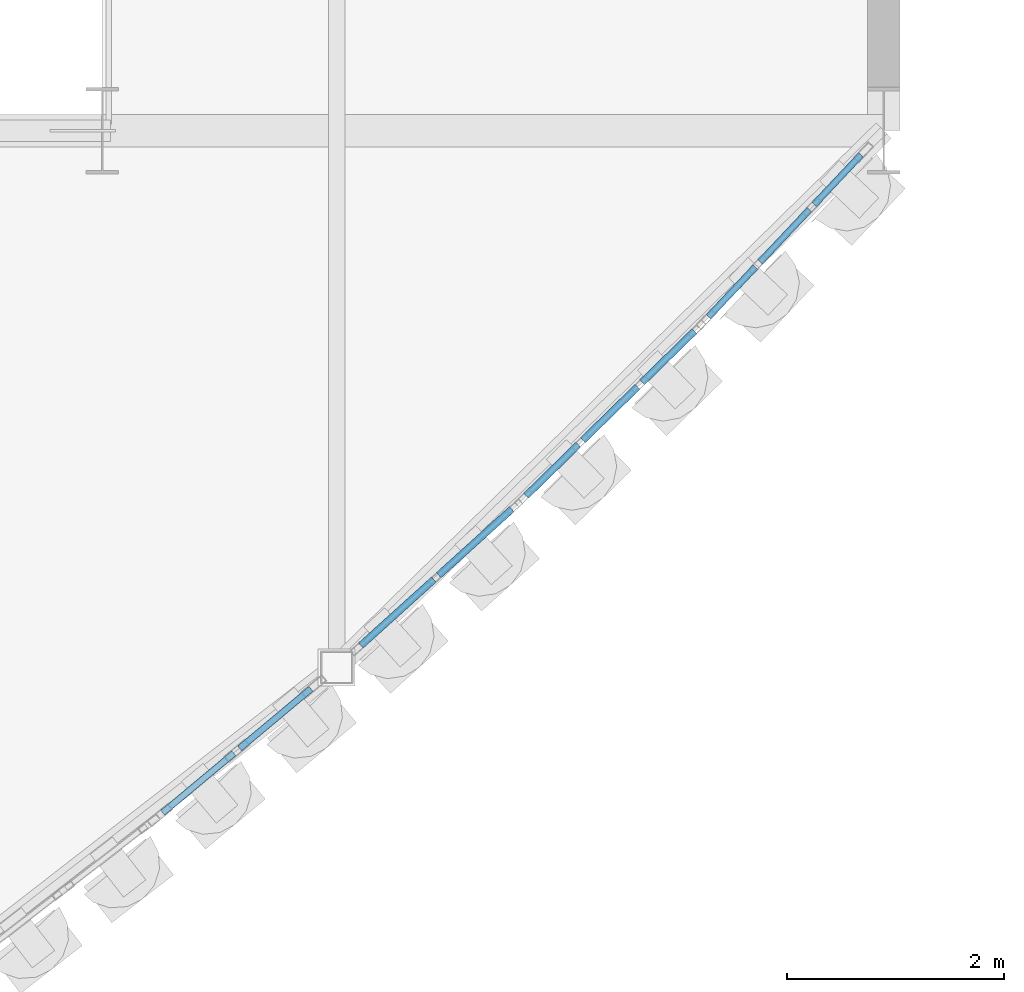
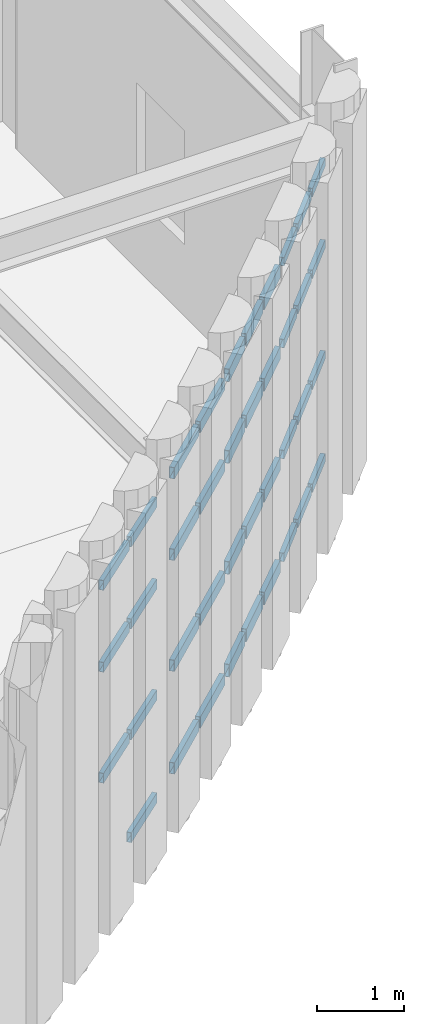
# One storey, part 79 of 126: 39 members, 4 elements without a shape of their own.
"""IFC4 building model written with IfcOpenShell, lengths in metres."""

from ifc_helpers import new_model, si_unit, direction, frame, origin, origin_2d, place, context, subcontext, project, spatial, hollow_rectangle, extrude, material, layer, layer_set, material_profile, profile_set, type_object, element, aggregate, save


model = new_model("IFC4")

# Units and contexts
model_context = context("Model", 3, precision=1e-05, world=origin(), true_north=direction((0.0, 1.0)))
body_context = subcontext(model_context, "Body", "Model", "MODEL_VIEW")
ifc_project = project(units=[si_unit("LENGTHUNIT", "METRE"), si_unit("AREAUNIT", "SQUARE_METRE"), si_unit("VOLUMEUNIT", "CUBIC_METRE"), si_unit("PLANEANGLEUNIT", "RADIAN"), si_unit("MASSUNIT", "GRAM", prefix="KILO")], contexts=[model_context])

# Site, building, storey
site_placement = place(None, origin())
site = spatial("IfcSite", under=ifc_project, at=site_placement, CompositionType="ELEMENT")
building_placement = place(site_placement, origin())
building = spatial("IfcBuilding", under=site, at=building_placement, Name="Solvadek Multi-Sports Hall", CompositionType="ELEMENT")
storey_placement = place(building_placement, frame((0.0, 0.0, 9.60009765625)))
storey = spatial("IfcBuildingStorey", under=building, at=storey_placement, Name="L02", CompositionType="ELEMENT", Elevation=9.60009765625)

# Curtain wall, members
ifc_material = material(Name="Anodised aluminium", Category="aluminium")
ifc_layer_1 = layer(ifc_material, 0.159912109375, Name="Anodised aluminium")
ifc_layer_set_1 = layer_set([ifc_layer_1], Name="Anodised aluminium")
curtain_wall_type_1 = type_object("IfcCurtainWallType", Name="ENV-CW-218X420", PredefinedType="USERDEFINED", material=ifc_layer_set_1)
curtain_wall_1_placement = place(storey_placement, origin())
curtain_wall_1 = element("IfcCurtainWall", 1, at=curtain_wall_1_placement, inside=storey, type_object=curtain_wall_type_1, Name="L02 Crescent Curved Curtain Wall #114", ObjectType="CURTAIN WALL", PredefinedType="USERDEFINED")
ifc_material_profile_1 = material_profile(ifc_material, hollow_rectangle(XDim=0.06005859375, YDim=0.1201171875, WallThickness=0.00390625, at=origin_2d()), Name="ALU-T 120x60x4")
ifc_profile_set_1 = profile_set([ifc_material_profile_1], Name="Anodised aluminium")
member_type_1 = type_object("IfcMemberType", Name="ENV-CWT-01", PredefinedType="USERDEFINED", material=ifc_profile_set_1)
member_1_placement = place(storey_placement, frame((135.18505859375, 4.28515625, 0.02978515625), z_axis=(0.685654971269, 0.727926686126, 0.0), x_axis=(-0.727926686126, 0.685654971269, 0.0)))
member_1 = element("IfcMember", 2, at=member_1_placement, type_object=member_type_1, Name="CW-37 transom 1.1", ObjectType="TRANSOM", PredefinedType="USERDEFINED", context=body_context, shape_type="SweptSolid", body=[
    extrude(hollow_rectangle(XDim=0.06005859375, YDim=0.1201171875, WallThickness=0.00390625, at=origin_2d()), origin(), (0.0, 0.0, 1.0), 0.629638671875),
])
member_2_placement = place(storey_placement, frame((135.18505859375, 4.28515625, 1.469970703125), z_axis=(0.685654971269, 0.727926686126, 0.0), x_axis=(-0.727926686126, 0.685654971269, 0.0)))
member_2 = element("IfcMember", 3, at=member_2_placement, type_object=member_type_1, Name="CW-37 transom 1.2", ObjectType="TRANSOM", PredefinedType="USERDEFINED", context=body_context, shape_type="SweptSolid", body=[
    extrude(hollow_rectangle(XDim=0.06005859375, YDim=0.1201171875, WallThickness=0.00390625, at=origin_2d()), origin(), (0.0, 0.0, 1.0), 0.629638671875),
])
member_3_placement = place(storey_placement, frame((135.18505859375, 4.28515625, 3.02392578125), z_axis=(0.685654971269, 0.727926686126, 0.0), x_axis=(-0.727926686126, 0.685654971269, 0.0)))
member_3 = element("IfcMember", 4, at=member_3_placement, type_object=member_type_1, Name="CW-37 transom 1.3", ObjectType="TRANSOM", PredefinedType="USERDEFINED", context=body_context, shape_type="SweptSolid", body=[
    extrude(hollow_rectangle(XDim=0.06005859375, YDim=0.1201171875, WallThickness=0.00390625, at=origin_2d()), origin(), (0.0, 0.0, 1.0), 0.629638671875),
])
member_4_placement = place(storey_placement, frame((135.18505859375, 4.28515625, 4.169921875), z_axis=(0.685654971269, 0.727926686126, 0.0), x_axis=(-0.727926686126, 0.685654971269, 0.0)))
member_4 = element("IfcMember", 5, at=member_4_placement, type_object=member_type_1, Name="CW-37 transom 1.4", ObjectType="TRANSOM", PredefinedType="USERDEFINED", context=body_context, shape_type="SweptSolid", body=[
    extrude(hollow_rectangle(XDim=0.06005859375, YDim=0.1201171875, WallThickness=0.00390625, at=origin_2d()), origin(), (0.0, 0.0, 1.0), 0.629638671875),
])
member_5_placement = place(storey_placement, frame((135.6611328125, 4.790771484375, 0.02978515625), z_axis=(0.685767327789, 0.727820837938, 0.0), x_axis=(-0.727820837938, 0.685767327789, 0.0)))
member_5 = element("IfcMember", 6, at=member_5_placement, type_object=member_type_1, Name="CW-37 transom 2.1", ObjectType="TRANSOM", PredefinedType="USERDEFINED", context=body_context, shape_type="SweptSolid", body=[
    extrude(hollow_rectangle(XDim=0.06005859375, YDim=0.1201171875, WallThickness=0.00390625, at=origin_2d()), origin(), (0.0, 0.0, 1.0), 0.661865234375),
])
member_6_placement = place(storey_placement, frame((135.6611328125, 4.790771484375, 1.469970703125), z_axis=(0.685767327789, 0.727820837938, 0.0), x_axis=(-0.727820837938, 0.685767327789, 0.0)))
member_6 = element("IfcMember", 7, at=member_6_placement, type_object=member_type_1, Name="CW-37 transom 2.2", ObjectType="TRANSOM", PredefinedType="USERDEFINED", context=body_context, shape_type="SweptSolid", body=[
    extrude(hollow_rectangle(XDim=0.06005859375, YDim=0.1201171875, WallThickness=0.00390625, at=origin_2d()), origin(), (0.0, 0.0, 1.0), 0.661865234375),
])
member_7_placement = place(storey_placement, frame((135.6611328125, 4.790771484375, 3.02392578125), z_axis=(0.685767327789, 0.727820837938, 0.0), x_axis=(-0.727820837938, 0.685767327789, 0.0)))
member_7 = element("IfcMember", 8, at=member_7_placement, type_object=member_type_1, Name="CW-37 transom 2.3", ObjectType="TRANSOM", PredefinedType="USERDEFINED", context=body_context, shape_type="SweptSolid", body=[
    extrude(hollow_rectangle(XDim=0.06005859375, YDim=0.1201171875, WallThickness=0.00390625, at=origin_2d()), origin(), (0.0, 0.0, 1.0), 0.661865234375),
])
member_8_placement = place(storey_placement, frame((135.6611328125, 4.790771484375, 4.169921875), z_axis=(0.685767327789, 0.727820837938, 0.0), x_axis=(-0.727820837938, 0.685767327789, 0.0)))
member_8 = element("IfcMember", 9, at=member_8_placement, type_object=member_type_1, Name="CW-37 transom 2.4", ObjectType="TRANSOM", PredefinedType="USERDEFINED", context=body_context, shape_type="SweptSolid", body=[
    extrude(hollow_rectangle(XDim=0.06005859375, YDim=0.1201171875, WallThickness=0.00390625, at=origin_2d()), origin(), (0.0, 0.0, 1.0), 0.661865234375),
])
member_9_placement = place(storey_placement, frame((136.159423828125, 5.31982421875, 0.02978515625), z_axis=(0.685449395519, 0.728120269037, 0.0), x_axis=(-0.728120269037, 0.685449395519, 0.0)))
member_9 = element("IfcMember", 10, at=member_9_placement, type_object=member_type_1, Name="CW-37 transom 3.1", ObjectType="TRANSOM", PredefinedType="USERDEFINED", context=body_context, shape_type="SweptSolid", body=[
    extrude(hollow_rectangle(XDim=0.06005859375, YDim=0.1201171875, WallThickness=0.00390625, at=origin_2d()), origin(), (0.0, 0.0, 1.0), 0.62939453125),
])
member_10_placement = place(storey_placement, frame((136.159423828125, 5.31982421875, 1.469970703125), z_axis=(0.685449395519, 0.728120269037, 0.0), x_axis=(-0.728120269037, 0.685449395519, 0.0)))
member_10 = element("IfcMember", 11, at=member_10_placement, type_object=member_type_1, Name="CW-37 transom 3.2", ObjectType="TRANSOM", PredefinedType="USERDEFINED", context=body_context, shape_type="SweptSolid", body=[
    extrude(hollow_rectangle(XDim=0.06005859375, YDim=0.1201171875, WallThickness=0.00390625, at=origin_2d()), origin(), (0.0, 0.0, 1.0), 0.62939453125),
])
member_11_placement = place(storey_placement, frame((136.159423828125, 5.31982421875, 3.02392578125), z_axis=(0.685449395519, 0.728120269037, 0.0), x_axis=(-0.728120269037, 0.685449395519, 0.0)))
member_11 = element("IfcMember", 12, at=member_11_placement, type_object=member_type_1, Name="CW-37 transom 3.3", ObjectType="TRANSOM", PredefinedType="USERDEFINED", context=body_context, shape_type="SweptSolid", body=[
    extrude(hollow_rectangle(XDim=0.06005859375, YDim=0.1201171875, WallThickness=0.00390625, at=origin_2d()), origin(), (0.0, 0.0, 1.0), 0.62939453125),
])
member_12_placement = place(storey_placement, frame((136.159423828125, 5.31982421875, 4.169921875), z_axis=(0.685449395519, 0.728120269037, 0.0), x_axis=(-0.728120269037, 0.685449395519, 0.0)))
member_12 = element("IfcMember", 13, at=member_12_placement, type_object=member_type_1, Name="CW-37 transom 3.4", ObjectType="TRANSOM", PredefinedType="USERDEFINED", context=body_context, shape_type="SweptSolid", body=[
    extrude(hollow_rectangle(XDim=0.06005859375, YDim=0.1201171875, WallThickness=0.00390625, at=origin_2d()), origin(), (0.0, 0.0, 1.0), 0.62939453125),
])
aggregate(curtain_wall_1, [member_1, member_2, member_3, member_4, member_5, member_6, member_7, member_8, member_9, member_10, member_11, member_12])

ifc_layer_2 = layer(ifc_material, 0.159912109375, Name="Anodised aluminium")
ifc_layer_set_2 = layer_set([ifc_layer_2], Name="Anodised aluminium")
curtain_wall_type_2 = type_object("IfcCurtainWallType", Name="ENV-CW-192X420", PredefinedType="USERDEFINED", material=ifc_layer_set_2)
curtain_wall_2_placement = place(storey_placement, origin())
curtain_wall_2 = element("IfcCurtainWall", 14, at=curtain_wall_2_placement, inside=storey, type_object=curtain_wall_type_2, Name="L02 Crescent Curved Curtain Wall #108", ObjectType="CURTAIN WALL", PredefinedType="USERDEFINED")
ifc_material_profile_2 = material_profile(ifc_material, hollow_rectangle(XDim=0.06005859375, YDim=0.139892578125, WallThickness=0.00390625, at=origin_2d()), Name="ALU-T 140x60x4")
ifc_profile_set_2 = profile_set([ifc_material_profile_2], Name="Anodised aluminium")
member_type_2 = type_object("IfcMemberType", Name="ENV-CWT-02", PredefinedType="USERDEFINED", material=ifc_profile_set_2)
member_13_placement = place(storey_placement, frame((130.15673828125, -0.283935546875, 1.469970703125), z_axis=(0.767283865941, 0.641307624363, 0.0), x_axis=(-0.641307624363, 0.767283865941, 0.0)))
member_13 = element("IfcMember", 15, at=member_13_placement, type_object=member_type_2, Name="CW-31 transom 1.2", ObjectType="TRANSOM", PredefinedType="USERDEFINED", context=body_context, shape_type="SweptSolid", body=[
    extrude(hollow_rectangle(XDim=0.06005859375, YDim=0.139892578125, WallThickness=0.00390625, at=origin_2d()), origin(), (0.0, 0.0, 1.0), 0.854736328125),
])
member_14_placement = place(storey_placement, frame((130.15673828125, -0.283935546875, 3.02392578125), z_axis=(0.767283865941, 0.641307624363, 0.0), x_axis=(-0.641307624363, 0.767283865941, 0.0)))
member_14 = element("IfcMember", 16, at=member_14_placement, type_object=member_type_2, Name="CW-31 transom 1.3", ObjectType="TRANSOM", PredefinedType="USERDEFINED", context=body_context, shape_type="SweptSolid", body=[
    extrude(hollow_rectangle(XDim=0.06005859375, YDim=0.139892578125, WallThickness=0.00390625, at=origin_2d()), origin(), (0.0, 0.0, 1.0), 0.854736328125),
])
member_15_placement = place(storey_placement, frame((130.15673828125, -0.283935546875, 4.169921875), z_axis=(0.767283865941, 0.641307624363, 0.0), x_axis=(-0.641307624363, 0.767283865941, 0.0)))
member_15 = element("IfcMember", 17, at=member_15_placement, type_object=member_type_2, Name="CW-31 transom 1.4", ObjectType="TRANSOM", PredefinedType="USERDEFINED", context=body_context, shape_type="SweptSolid", body=[
    extrude(hollow_rectangle(XDim=0.06005859375, YDim=0.139892578125, WallThickness=0.00390625, at=origin_2d()), origin(), (0.0, 0.0, 1.0), 0.854736328125),
])
member_16_placement = place(storey_placement, frame((130.8662109375, 0.30908203125, 0.02978515625), z_axis=(0.767260796359, 0.641335224645, 0.0), x_axis=(-0.641335224645, 0.767260796359, 0.0)))
member_16 = element("IfcMember", 18, at=member_16_placement, type_object=member_type_2, Name="CW-31 transom 2.1", ObjectType="TRANSOM", PredefinedType="USERDEFINED", context=body_context, shape_type="SweptSolid", body=[
    extrude(hollow_rectangle(XDim=0.06005859375, YDim=0.139892578125, WallThickness=0.00390625, at=origin_2d()), origin(), (0.0, 0.0, 1.0), 0.85498046875),
])
member_17_placement = place(storey_placement, frame((130.8662109375, 0.30908203125, 1.469970703125), z_axis=(0.767260796359, 0.641335224645, 0.0), x_axis=(-0.641335224645, 0.767260796359, 0.0)))
member_17 = element("IfcMember", 19, at=member_17_placement, type_object=member_type_2, Name="CW-31 transom 2.2", ObjectType="TRANSOM", PredefinedType="USERDEFINED", context=body_context, shape_type="SweptSolid", body=[
    extrude(hollow_rectangle(XDim=0.06005859375, YDim=0.139892578125, WallThickness=0.00390625, at=origin_2d()), origin(), (0.0, 0.0, 1.0), 0.85498046875),
])
member_18_placement = place(storey_placement, frame((130.8662109375, 0.30908203125, 3.02392578125), z_axis=(0.767260796359, 0.641335224645, 0.0), x_axis=(-0.641335224645, 0.767260796359, 0.0)))
member_18 = element("IfcMember", 20, at=member_18_placement, type_object=member_type_2, Name="CW-31 transom 2.3", ObjectType="TRANSOM", PredefinedType="USERDEFINED", context=body_context, shape_type="SweptSolid", body=[
    extrude(hollow_rectangle(XDim=0.06005859375, YDim=0.139892578125, WallThickness=0.00390625, at=origin_2d()), origin(), (0.0, 0.0, 1.0), 0.85498046875),
])
member_19_placement = place(storey_placement, frame((130.8662109375, 0.30908203125, 4.169921875), z_axis=(0.767260796359, 0.641335224645, 0.0), x_axis=(-0.641335224645, 0.767260796359, 0.0)))
member_19 = element("IfcMember", 21, at=member_19_placement, type_object=member_type_2, Name="CW-31 transom 2.4", ObjectType="TRANSOM", PredefinedType="USERDEFINED", context=body_context, shape_type="SweptSolid", body=[
    extrude(hollow_rectangle(XDim=0.06005859375, YDim=0.139892578125, WallThickness=0.00390625, at=origin_2d()), origin(), (0.0, 0.0, 1.0), 0.85498046875),
])
aggregate(curtain_wall_2, [member_13, member_14, member_15, member_16, member_17, member_18, member_19])

ifc_layer_3 = layer(ifc_material, 0.159912109375, Name="Anodised aluminium")
ifc_layer_set_3 = layer_set([ifc_layer_3], Name="Anodised aluminium")
curtain_wall_type_3 = type_object("IfcCurtainWallType", Name="ENV-CW-199X420", PredefinedType="USERDEFINED", material=ifc_layer_set_3)
curtain_wall_3_placement = place(storey_placement, origin())
curtain_wall_3 = element("IfcCurtainWall", 22, at=curtain_wall_3_placement, inside=storey, type_object=curtain_wall_type_3, Name="L02 Crescent Curved Curtain Wall #110", ObjectType="CURTAIN WALL", PredefinedType="USERDEFINED")
ifc_material_profile_3 = material_profile(ifc_material, hollow_rectangle(XDim=0.06494140625, YDim=0.159912109375, WallThickness=0.00390625, at=origin_2d()), Name="ALU-T 160x65x4")
ifc_profile_set_3 = profile_set([ifc_material_profile_3], Name="Anodised aluminium")
member_type_3 = type_object("IfcMemberType", Name="ENV-CWT-03", PredefinedType="USERDEFINED", material=ifc_profile_set_3)
member_20_placement = place(storey_placement, frame((131.982666015625, 1.25732421875, 0.032470703125), z_axis=(0.742141529236, 0.670243202564, 0.0), x_axis=(-0.670243202564, 0.742141529236, 0.0)))
member_20 = element("IfcMember", 23, at=member_20_placement, type_object=member_type_3, Name="CW-35 transom 1.1", ObjectType="TRANSOM", PredefinedType="USERDEFINED", context=body_context, shape_type="SweptSolid", body=[
    extrude(hollow_rectangle(XDim=0.06494140625, YDim=0.159912109375, WallThickness=0.00390625, at=origin_2d()), origin(), (0.0, 0.0, 1.0), 0.90673828125),
])
member_21_placement = place(storey_placement, frame((131.982666015625, 1.25732421875, 1.469970703125), z_axis=(0.742141529236, 0.670243202564, 0.0), x_axis=(-0.670243202564, 0.742141529236, 0.0)))
member_21 = element("IfcMember", 24, at=member_21_placement, type_object=member_type_3, Name="CW-35 transom 1.2", ObjectType="TRANSOM", PredefinedType="USERDEFINED", context=body_context, shape_type="SweptSolid", body=[
    extrude(hollow_rectangle(XDim=0.06494140625, YDim=0.159912109375, WallThickness=0.00390625, at=origin_2d()), origin(), (0.0, 0.0, 1.0), 0.90673828125),
])
member_22_placement = place(storey_placement, frame((131.982666015625, 1.25732421875, 3.02392578125), z_axis=(0.742141529236, 0.670243202564, 0.0), x_axis=(-0.670243202564, 0.742141529236, 0.0)))
member_22 = element("IfcMember", 25, at=member_22_placement, type_object=member_type_3, Name="CW-35 transom 1.3", ObjectType="TRANSOM", PredefinedType="USERDEFINED", context=body_context, shape_type="SweptSolid", body=[
    extrude(hollow_rectangle(XDim=0.06494140625, YDim=0.159912109375, WallThickness=0.00390625, at=origin_2d()), origin(), (0.0, 0.0, 1.0), 0.90673828125),
])
member_23_placement = place(storey_placement, frame((131.982666015625, 1.25732421875, 4.16748046875), z_axis=(0.742141529236, 0.670243202564, 0.0), x_axis=(-0.670243202564, 0.742141529236, 0.0)))
member_23 = element("IfcMember", 26, at=member_23_placement, type_object=member_type_3, Name="CW-35 transom 1.4", ObjectType="TRANSOM", PredefinedType="USERDEFINED", context=body_context, shape_type="SweptSolid", body=[
    extrude(hollow_rectangle(XDim=0.06494140625, YDim=0.159912109375, WallThickness=0.00390625, at=origin_2d()), origin(), (0.0, 0.0, 1.0), 0.90673828125),
])
member_24_placement = place(storey_placement, frame((132.7001953125, 1.9052734375, 0.032470703125), z_axis=(0.742128557496, 0.670257565529, 0.0), x_axis=(-0.670257565529, 0.742128557496, 0.0)))
member_24 = element("IfcMember", 27, at=member_24_placement, type_object=member_type_3, Name="CW-35 transom 2.1", ObjectType="TRANSOM", PredefinedType="USERDEFINED", context=body_context, shape_type="SweptSolid", body=[
    extrude(hollow_rectangle(XDim=0.06494140625, YDim=0.159912109375, WallThickness=0.00390625, at=origin_2d()), origin(), (0.0, 0.0, 1.0), 0.906982421875),
])
member_25_placement = place(storey_placement, frame((132.7001953125, 1.9052734375, 1.469970703125), z_axis=(0.742128557496, 0.670257565529, 0.0), x_axis=(-0.670257565529, 0.742128557496, 0.0)))
member_25 = element("IfcMember", 28, at=member_25_placement, type_object=member_type_3, Name="CW-35 transom 2.2", ObjectType="TRANSOM", PredefinedType="USERDEFINED", context=body_context, shape_type="SweptSolid", body=[
    extrude(hollow_rectangle(XDim=0.06494140625, YDim=0.159912109375, WallThickness=0.00390625, at=origin_2d()), origin(), (0.0, 0.0, 1.0), 0.906982421875),
])
member_26_placement = place(storey_placement, frame((132.7001953125, 1.9052734375, 3.02392578125), z_axis=(0.742128557496, 0.670257565529, 0.0), x_axis=(-0.670257565529, 0.742128557496, 0.0)))
member_26 = element("IfcMember", 29, at=member_26_placement, type_object=member_type_3, Name="CW-35 transom 2.3", ObjectType="TRANSOM", PredefinedType="USERDEFINED", context=body_context, shape_type="SweptSolid", body=[
    extrude(hollow_rectangle(XDim=0.06494140625, YDim=0.159912109375, WallThickness=0.00390625, at=origin_2d()), origin(), (0.0, 0.0, 1.0), 0.906982421875),
])
member_27_placement = place(storey_placement, frame((132.7001953125, 1.9052734375, 4.16748046875), z_axis=(0.742128557496, 0.670257565529, 0.0), x_axis=(-0.670257565529, 0.742128557496, 0.0)))
member_27 = element("IfcMember", 30, at=member_27_placement, type_object=member_type_3, Name="CW-35 transom 2.4", ObjectType="TRANSOM", PredefinedType="USERDEFINED", context=body_context, shape_type="SweptSolid", body=[
    extrude(hollow_rectangle(XDim=0.06494140625, YDim=0.159912109375, WallThickness=0.00390625, at=origin_2d()), origin(), (0.0, 0.0, 1.0), 0.906982421875),
])
aggregate(curtain_wall_3, [member_20, member_21, member_22, member_23, member_24, member_25, member_26, member_27])

ifc_layer_4 = layer(ifc_material, 0.159912109375, Name="Anodised aluminium")
ifc_layer_set_4 = layer_set([ifc_layer_4], Name="Anodised aluminium")
curtain_wall_type_4 = type_object("IfcCurtainWallType", Name="ENV-CW-229X420", PredefinedType="USERDEFINED", material=ifc_layer_set_4)
curtain_wall_4_placement = place(storey_placement, origin())
curtain_wall_4 = element("IfcCurtainWall", 31, at=curtain_wall_4_placement, inside=storey, type_object=curtain_wall_type_4, Name="L02 Crescent Curved Curtain Wall #112", ObjectType="CURTAIN WALL", PredefinedType="USERDEFINED")
ifc_material_profile_4 = material_profile(ifc_material, hollow_rectangle(XDim=0.06494140625, YDim=0.179931640625, WallThickness=0.0048828125, at=origin_2d()), Name="ALU-T 180x65x5")
ifc_profile_set_4 = profile_set([ifc_material_profile_4], Name="Anodised aluminium")
member_type_4 = type_object("IfcMemberType", Name="ENV-CWT-04", PredefinedType="USERDEFINED", material=ifc_profile_set_4)
member_28_placement = place(storey_placement, frame((133.50439453125, 2.63623046875, 0.032470703125), z_axis=(0.714861614328, 0.699265952524, 0.0), x_axis=(-0.699265952524, 0.714861614328, 0.0)))
member_28 = element("IfcMember", 32, at=member_28_placement, type_object=member_type_4, Name="CW-36 transom 1.1", ObjectType="TRANSOM", PredefinedType="USERDEFINED", context=body_context, shape_type="SweptSolid", body=[
    extrude(hollow_rectangle(XDim=0.06494140625, YDim=0.179931640625, WallThickness=0.0048828125, at=origin_2d()), origin(), (0.0, 0.0, 1.0), 0.673095703125),
])
member_29_placement = place(storey_placement, frame((133.50439453125, 2.63623046875, 1.469970703125), z_axis=(0.714861614328, 0.699265952524, 0.0), x_axis=(-0.699265952524, 0.714861614328, 0.0)))
member_29 = element("IfcMember", 33, at=member_29_placement, type_object=member_type_4, Name="CW-36 transom 1.2", ObjectType="TRANSOM", PredefinedType="USERDEFINED", context=body_context, shape_type="SweptSolid", body=[
    extrude(hollow_rectangle(XDim=0.06494140625, YDim=0.179931640625, WallThickness=0.0048828125, at=origin_2d()), origin(), (0.0, 0.0, 1.0), 0.673095703125),
])
member_30_placement = place(storey_placement, frame((133.50439453125, 2.63623046875, 3.02392578125), z_axis=(0.714861614328, 0.699265952524, 0.0), x_axis=(-0.699265952524, 0.714861614328, 0.0)))
member_30 = element("IfcMember", 34, at=member_30_placement, type_object=member_type_4, Name="CW-36 transom 1.3", ObjectType="TRANSOM", PredefinedType="USERDEFINED", context=body_context, shape_type="SweptSolid", body=[
    extrude(hollow_rectangle(XDim=0.06494140625, YDim=0.179931640625, WallThickness=0.0048828125, at=origin_2d()), origin(), (0.0, 0.0, 1.0), 0.673095703125),
])
member_31_placement = place(storey_placement, frame((133.50439453125, 2.63623046875, 4.16748046875), z_axis=(0.714861614328, 0.699265952524, 0.0), x_axis=(-0.699265952524, 0.714861614328, 0.0)))
member_31 = element("IfcMember", 35, at=member_31_placement, type_object=member_type_4, Name="CW-36 transom 1.4", ObjectType="TRANSOM", PredefinedType="USERDEFINED", context=body_context, shape_type="SweptSolid", body=[
    extrude(hollow_rectangle(XDim=0.06494140625, YDim=0.179931640625, WallThickness=0.0048828125, at=origin_2d()), origin(), (0.0, 0.0, 1.0), 0.673095703125),
])
member_32_placement = place(storey_placement, frame((134.028564453125, 3.14892578125, 0.032470703125), z_axis=(0.715045225892, 0.699078196576, 0.0), x_axis=(-0.699078196576, 0.715045225892, 0.0)))
member_32 = element("IfcMember", 36, at=member_32_placement, type_object=member_type_4, Name="CW-36 transom 2.1", ObjectType="TRANSOM", PredefinedType="USERDEFINED", context=body_context, shape_type="SweptSolid", body=[
    extrude(hollow_rectangle(XDim=0.06494140625, YDim=0.179931640625, WallThickness=0.0048828125, at=origin_2d()), origin(), (0.0, 0.0, 1.0), 0.703369140625),
])
member_33_placement = place(storey_placement, frame((134.028564453125, 3.14892578125, 1.469970703125), z_axis=(0.715045225892, 0.699078196576, 0.0), x_axis=(-0.699078196576, 0.715045225892, 0.0)))
member_33 = element("IfcMember", 37, at=member_33_placement, type_object=member_type_4, Name="CW-36 transom 2.2", ObjectType="TRANSOM", PredefinedType="USERDEFINED", context=body_context, shape_type="SweptSolid", body=[
    extrude(hollow_rectangle(XDim=0.06494140625, YDim=0.179931640625, WallThickness=0.0048828125, at=origin_2d()), origin(), (0.0, 0.0, 1.0), 0.703369140625),
])
member_34_placement = place(storey_placement, frame((134.028564453125, 3.14892578125, 3.02392578125), z_axis=(0.715045225892, 0.699078196576, 0.0), x_axis=(-0.699078196576, 0.715045225892, 0.0)))
member_34 = element("IfcMember", 38, at=member_34_placement, type_object=member_type_4, Name="CW-36 transom 2.3", ObjectType="TRANSOM", PredefinedType="USERDEFINED", context=body_context, shape_type="SweptSolid", body=[
    extrude(hollow_rectangle(XDim=0.06494140625, YDim=0.179931640625, WallThickness=0.0048828125, at=origin_2d()), origin(), (0.0, 0.0, 1.0), 0.703369140625),
])
member_35_placement = place(storey_placement, frame((134.028564453125, 3.14892578125, 4.16748046875), z_axis=(0.715045225892, 0.699078196576, 0.0), x_axis=(-0.699078196576, 0.715045225892, 0.0)))
member_35 = element("IfcMember", 39, at=member_35_placement, type_object=member_type_4, Name="CW-36 transom 2.4", ObjectType="TRANSOM", PredefinedType="USERDEFINED", context=body_context, shape_type="SweptSolid", body=[
    extrude(hollow_rectangle(XDim=0.06494140625, YDim=0.179931640625, WallThickness=0.0048828125, at=origin_2d()), origin(), (0.0, 0.0, 1.0), 0.703369140625),
])
member_36_placement = place(storey_placement, frame((134.57421875, 3.6826171875, 0.032470703125), z_axis=(0.715220164505, 0.698899217546, 0.0), x_axis=(-0.698899217546, 0.715220164505, 0.0)))
member_36 = element("IfcMember", 40, at=member_36_placement, type_object=member_type_4, Name="CW-36 transom 3.1", ObjectType="TRANSOM", PredefinedType="USERDEFINED", context=body_context, shape_type="SweptSolid", body=[
    extrude(hollow_rectangle(XDim=0.06494140625, YDim=0.179931640625, WallThickness=0.0048828125, at=origin_2d()), origin(), (0.0, 0.0, 1.0), 0.673095703125),
])
member_37_placement = place(storey_placement, frame((134.57421875, 3.6826171875, 1.469970703125), z_axis=(0.715220164505, 0.698899217546, 0.0), x_axis=(-0.698899217546, 0.715220164505, 0.0)))
member_37 = element("IfcMember", 41, at=member_37_placement, type_object=member_type_4, Name="CW-36 transom 3.2", ObjectType="TRANSOM", PredefinedType="USERDEFINED", context=body_context, shape_type="SweptSolid", body=[
    extrude(hollow_rectangle(XDim=0.06494140625, YDim=0.179931640625, WallThickness=0.0048828125, at=origin_2d()), origin(), (0.0, 0.0, 1.0), 0.673095703125),
])
member_38_placement = place(storey_placement, frame((134.57421875, 3.6826171875, 3.02392578125), z_axis=(0.715220164505, 0.698899217546, 0.0), x_axis=(-0.698899217546, 0.715220164505, 0.0)))
member_38 = element("IfcMember", 42, at=member_38_placement, type_object=member_type_4, Name="CW-36 transom 3.3", ObjectType="TRANSOM", PredefinedType="USERDEFINED", context=body_context, shape_type="SweptSolid", body=[
    extrude(hollow_rectangle(XDim=0.06494140625, YDim=0.179931640625, WallThickness=0.0048828125, at=origin_2d()), origin(), (0.0, 0.0, 1.0), 0.673095703125),
])
member_39_placement = place(storey_placement, frame((134.57421875, 3.6826171875, 4.16748046875), z_axis=(0.715220164505, 0.698899217546, 0.0), x_axis=(-0.698899217546, 0.715220164505, 0.0)))
member_39 = element("IfcMember", 43, at=member_39_placement, type_object=member_type_4, Name="CW-36 transom 3.4", ObjectType="TRANSOM", PredefinedType="USERDEFINED", context=body_context, shape_type="SweptSolid", body=[
    extrude(hollow_rectangle(XDim=0.06494140625, YDim=0.179931640625, WallThickness=0.0048828125, at=origin_2d()), origin(), (0.0, 0.0, 1.0), 0.673095703125),
])
aggregate(curtain_wall_4, [member_28, member_29, member_30, member_31, member_32, member_33, member_34, member_35, member_36, member_37, member_38, member_39])

save(model, "model.ifc")
